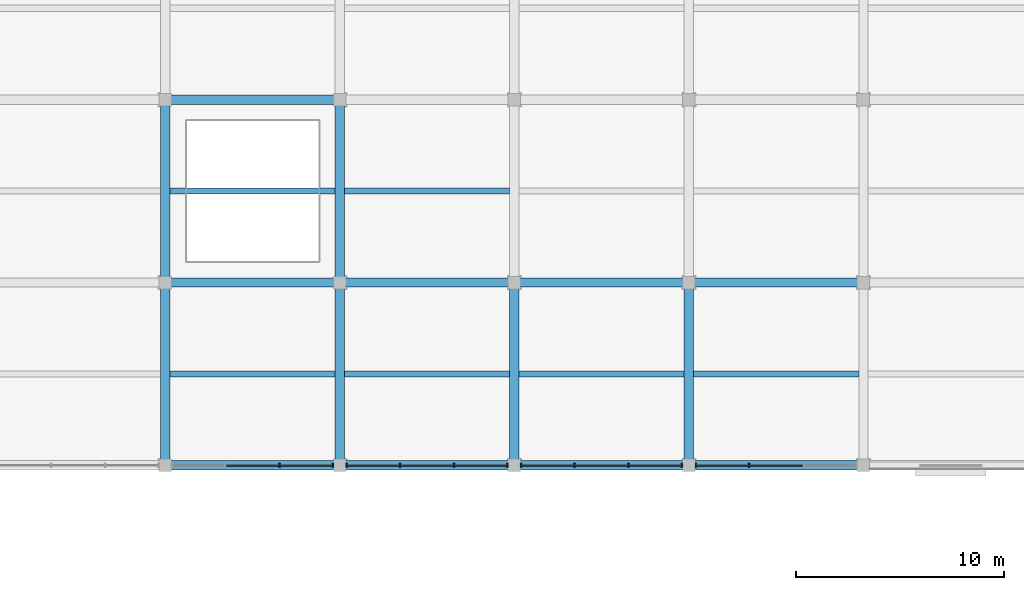
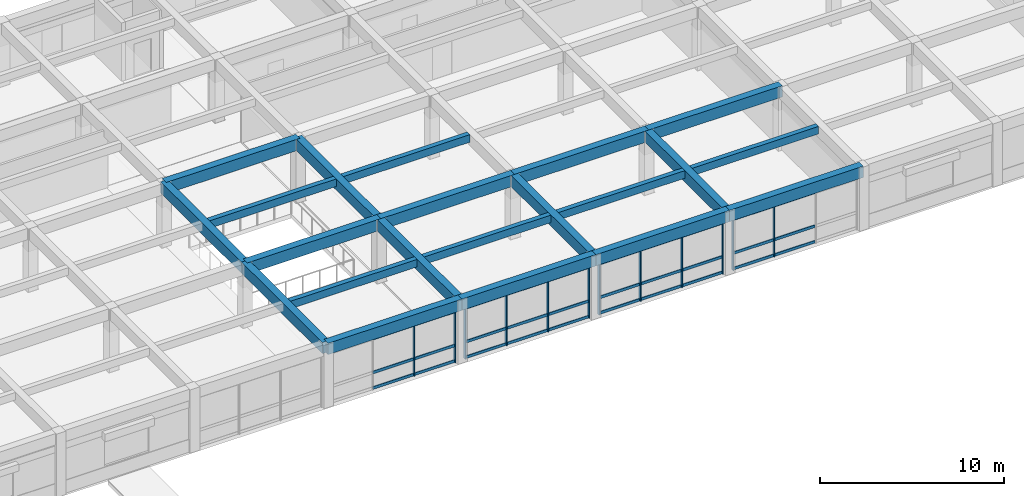
# One storey, part 13 of 46: 42 members, 21 beams, 4 elements without a shape of their own.
"""IFC4 building model written with IfcOpenShell, lengths in metres."""

from ifc_helpers import new_model, si_unit, direction, frame, origin, origin_2d, place, context, subcontext, project, spatial, rectangle, extrude, material, material_profile, profile_set, type_object, element, aggregate, save


model = new_model("IFC4")

# Units and contexts
model_context = context("Model", 3, precision=1e-05, world=origin(), true_north=direction((0.0, 1.0)))
body_context = subcontext(model_context, "Body", "Model", "MODEL_VIEW")
ifc_project = project(units=[si_unit("LENGTHUNIT", "METRE"), si_unit("AREAUNIT", "SQUARE_METRE"), si_unit("VOLUMEUNIT", "CUBIC_METRE"), si_unit("PLANEANGLEUNIT", "RADIAN"), si_unit("MASSUNIT", "GRAM", prefix="KILO")], contexts=[model_context])

# Site, building, storey
site_placement = place(None, origin())
site = spatial("IfcSite", under=ifc_project, at=site_placement, CompositionType="ELEMENT")
building_placement = place(site_placement, origin())
building = spatial("IfcBuilding", under=site, at=building_placement, Name="Kemercrest Conservatory and Botanical Centre", CompositionType="ELEMENT")
storey_placement = place(building_placement, frame((0.0, 0.0, 9.0)))
storey = spatial("IfcBuildingStorey", under=building, at=storey_placement, Name="L02", CompositionType="ELEMENT", Elevation=9.0)

# Beams
ifc_material_1 = material(Name="Concrete C40/50", Category="concrete")
ifc_material_profile_1 = material_profile(ifc_material_1, rectangle(XDim=0.449951171875, YDim=0.75, at=origin_2d()), Name="RC 450x750")
ifc_profile_set_1 = profile_set([ifc_material_profile_1], Name="Concrete C40/50")
beam_type_1 = type_object("IfcBeamType", Name="BM-RC75", PredefinedType="BEAM", material=ifc_profile_set_1)
for number, where, z_axis, x_axis, name in (
    (1, (41.60009765625, 96.0, 3.824951171875), (1.0, 0.0, 0.0), (0.0, 1.0, 0.0), "V3-L03 beam BM-RC75 L/05-06"),
    (2, (50.0, 96.0, 3.824951171875), (1.0, 0.0, 0.0), (0.0, 1.0, 0.0), "V3-L03 beam BM-RC75 L/06-07"),
):
    element("IfcBeam", number, at=place(storey_placement, frame(where, z_axis=z_axis, x_axis=x_axis)), inside=storey, type_object=beam_type_1, Name=name, PredefinedType="BEAM", context=body_context, shape_type="SweptSolid", body=[
        extrude(rectangle(XDim=0.449951171875, YDim=0.75, at=origin_2d()), origin(), (0.0, 0.0, 1.0), 8.39990234375),
    ])
beam_1_placement = place(storey_placement, frame((58.39990234375, 96.0, 3.824951171875), z_axis=(1.0, 0.0, 0.0), x_axis=(0.0, 1.0, 0.0)))
element("IfcBeam", 3, at=beam_1_placement, inside=storey, type_object=beam_type_1, Name="V3-L03 beam BM-RC75 L/07-08", PredefinedType="BEAM", context=body_context, shape_type="SweptSolid", body=[
    extrude(rectangle(XDim=0.449951171875, YDim=0.75, at=origin_2d()), origin(), (0.0, 0.0, 1.0), 8.400146484375),
])
for number, where, z_axis, x_axis, name in (
    (4, (66.800048828125, 96.0, 3.824951171875), (1.0, 0.0, 0.0), (0.0, 1.0, 0.0), "V3-L03 beam BM-RC75 L/08-09"),
    (5, (41.60009765625, 104.800048828125, 3.824951171875), (1.0, 0.0, 0.0), (0.0, 1.0, 0.0), "V3-L03 beam BM-RC75 M/05-06"),
):
    element("IfcBeam", number, at=place(storey_placement, frame(where, z_axis=z_axis, x_axis=x_axis)), inside=storey, type_object=beam_type_1, Name=name, PredefinedType="BEAM", context=body_context, shape_type="SweptSolid", body=[
        extrude(rectangle(XDim=0.449951171875, YDim=0.75, at=origin_2d()), origin(), (0.0, 0.0, 1.0), 8.39990234375),
    ])
for number, where, z_axis, x_axis, name in (
    (6, (41.60009765625, 87.199951171875, 3.824951171875), (0.0, 1.0, 0.0), (-1.0, 0.0, 0.0), "V3-L03 beam BM-RC75 05/K-L"),
    (7, (41.60009765625, 96.0, 3.824951171875), (0.0, 1.0, 0.0), (-1.0, 0.0, 0.0), "V3-L03 beam BM-RC75 05/L-M"),
    (8, (50.0, 87.199951171875, 3.824951171875), (0.0, 1.0, 0.0), (-1.0, 0.0, 0.0), "V3-L03 beam BM-RC75 06/K-L"),
    (9, (50.0, 96.0, 3.824951171875), (0.0, 1.0, 0.0), (-1.0, 0.0, 0.0), "V3-L03 beam BM-RC75 06/L-M"),
    (10, (58.39990234375, 87.199951171875, 3.824951171875), (0.0, 1.0, 0.0), (-1.0, 0.0, 0.0), "V3-L03 beam BM-RC75 07/K-L"),
    (11, (66.800048828125, 87.199951171875, 3.824951171875), (0.0, 1.0, 0.0), (-1.0, 0.0, 0.0), "V3-L03 beam BM-RC75 08/K-L"),
):
    element("IfcBeam", number, at=place(storey_placement, frame(where, z_axis=z_axis, x_axis=x_axis)), inside=storey, type_object=beam_type_1, Name=name, PredefinedType="BEAM", context=body_context, shape_type="SweptSolid", body=[
        extrude(rectangle(XDim=0.449951171875, YDim=0.75, at=origin_2d()), origin(), (0.0, 0.0, 1.0), 8.800048828125),
    ])

# Curtain wall, members
ifc_material_2 = material(Name="Thermally broken aluminium and triple low-e glazing", Category="aluminium")
curtain_wall_type_1 = type_object("IfcCurtainWallType", Name="CW-09", PredefinedType="USERDEFINED", material=ifc_material_2)
curtain_wall_1_placement = place(storey_placement, origin())
curtain_wall_1 = element("IfcCurtainWall", 12, at=curtain_wall_1_placement, inside=storey, type_object=curtain_wall_type_1, Name="Unitised curtain wall CW-09 (CW:L02:V3-038)", ObjectType="UNITISED CURTAIN WALL", PredefinedType="USERDEFINED")
ifc_material_3 = material(Name="Thermally broken anodized aluminium 6063-T6", Category="aluminium")
ifc_material_profile_2 = material_profile(ifc_material_3, rectangle(XDim=0.199951171875, YDim=0.06494140625, at=origin_2d()), Name="AL MULLION 65x200")
ifc_profile_set_2 = profile_set([ifc_material_profile_2], Name="Thermally broken anodized aluminium 6063-T6")
member_type_1 = type_object("IfcMemberType", Name="CW-M200", PredefinedType="MULLION", material=ifc_profile_set_2)
member_1_placement = place(storey_placement, frame((47.1015625, 87.199951171875, 0.0), z_axis=(0.0, 0.0, 1.0), x_axis=(0.0, 1.0, 0.0)))
member_1 = element("IfcMember", 13, at=member_1_placement, type_object=member_type_1, Name="CW-09 mullion 3", PredefinedType="MULLION", context=body_context, shape_type="SweptSolid", body=[
    extrude(rectangle(XDim=0.199951171875, YDim=0.06494140625, at=origin_2d()), origin(), (0.0, 0.0, 1.0), 3.455078125),
])
member_2_placement = place(storey_placement, frame((49.672607421875, 87.199951171875, 0.0), z_axis=(0.0, 0.0, 1.0), x_axis=(0.0, 1.0, 0.0)))
member_2 = element("IfcMember", 14, at=member_2_placement, type_object=member_type_1, Name="CW-09 mullion 4", PredefinedType="MULLION", context=body_context, shape_type="SweptSolid", body=[
    extrude(rectangle(XDim=0.199951171875, YDim=0.06494140625, at=origin_2d()), origin(), (0.0, 0.0, 1.0), 3.455078125),
])

curtain_wall_type_2 = type_object("IfcCurtainWallType", Name="CW-10", PredefinedType="USERDEFINED", material=ifc_material_2)
curtain_wall_2_placement = place(storey_placement, origin())
curtain_wall_2 = element("IfcCurtainWall", 15, at=curtain_wall_2_placement, inside=storey, type_object=curtain_wall_type_2, Name="Unitised curtain wall CW-10 (CW:L02:V3-039)", ObjectType="UNITISED CURTAIN WALL", PredefinedType="USERDEFINED")
member_3_placement = place(storey_placement, frame((50.327392578125, 87.199951171875, 0.0), z_axis=(0.0, 0.0, 1.0), x_axis=(0.0, 1.0, 0.0)))
member_3 = element("IfcMember", 16, at=member_3_placement, type_object=member_type_1, Name="CW-10 mullion 1", PredefinedType="MULLION", context=body_context, shape_type="SweptSolid", body=[
    extrude(rectangle(XDim=0.199951171875, YDim=0.06494140625, at=origin_2d()), origin(), (0.0, 0.0, 1.0), 3.455078125),
])
member_4_placement = place(storey_placement, frame((52.8984375, 87.199951171875, 0.0), z_axis=(0.0, 0.0, 1.0), x_axis=(0.0, 1.0, 0.0)))
member_4 = element("IfcMember", 17, at=member_4_placement, type_object=member_type_1, Name="CW-10 mullion 2", PredefinedType="MULLION", context=body_context, shape_type="SweptSolid", body=[
    extrude(rectangle(XDim=0.199951171875, YDim=0.06494140625, at=origin_2d()), origin(), (0.0, 0.0, 1.0), 3.455078125),
])
member_5_placement = place(storey_placement, frame((55.501708984375, 87.199951171875, 0.0), z_axis=(0.0, 0.0, 1.0), x_axis=(0.0, 1.0, 0.0)))
member_5 = element("IfcMember", 18, at=member_5_placement, type_object=member_type_1, Name="CW-10 mullion 3", PredefinedType="MULLION", context=body_context, shape_type="SweptSolid", body=[
    extrude(rectangle(XDim=0.199951171875, YDim=0.06494140625, at=origin_2d()), origin(), (0.0, 0.0, 1.0), 3.455078125),
])
member_6_placement = place(storey_placement, frame((58.072509765625, 87.199951171875, 0.0), z_axis=(0.0, 0.0, 1.0), x_axis=(0.0, 1.0, 0.0)))
member_6 = element("IfcMember", 19, at=member_6_placement, type_object=member_type_1, Name="CW-10 mullion 4", PredefinedType="MULLION", context=body_context, shape_type="SweptSolid", body=[
    extrude(rectangle(XDim=0.199951171875, YDim=0.06494140625, at=origin_2d()), origin(), (0.0, 0.0, 1.0), 3.455078125),
])

curtain_wall_type_3 = type_object("IfcCurtainWallType", Name="CW-11", PredefinedType="USERDEFINED", material=ifc_material_2)
curtain_wall_3_placement = place(storey_placement, origin())
curtain_wall_3 = element("IfcCurtainWall", 20, at=curtain_wall_3_placement, inside=storey, type_object=curtain_wall_type_3, Name="Unitised curtain wall CW-11 (CW:L02:V3-040)", ObjectType="UNITISED CURTAIN WALL", PredefinedType="USERDEFINED")
member_7_placement = place(storey_placement, frame((58.7275390625, 87.199951171875, 0.0), z_axis=(0.0, 0.0, 1.0), x_axis=(0.0, 1.0, 0.0)))
member_7 = element("IfcMember", 21, at=member_7_placement, type_object=member_type_1, Name="CW-11 mullion 1", PredefinedType="MULLION", context=body_context, shape_type="SweptSolid", body=[
    extrude(rectangle(XDim=0.199951171875, YDim=0.06494140625, at=origin_2d()), origin(), (0.0, 0.0, 1.0), 3.455078125),
])
member_8_placement = place(storey_placement, frame((61.29833984375, 87.199951171875, 0.0), z_axis=(0.0, 0.0, 1.0), x_axis=(0.0, 1.0, 0.0)))
member_8 = element("IfcMember", 22, at=member_8_placement, type_object=member_type_1, Name="CW-11 mullion 2", PredefinedType="MULLION", context=body_context, shape_type="SweptSolid", body=[
    extrude(rectangle(XDim=0.199951171875, YDim=0.06494140625, at=origin_2d()), origin(), (0.0, 0.0, 1.0), 3.455078125),
])
member_9_placement = place(storey_placement, frame((63.901611328125, 87.199951171875, 0.0), z_axis=(0.0, 0.0, 1.0), x_axis=(0.0, 1.0, 0.0)))
member_9 = element("IfcMember", 23, at=member_9_placement, type_object=member_type_1, Name="CW-11 mullion 3", PredefinedType="MULLION", context=body_context, shape_type="SweptSolid", body=[
    extrude(rectangle(XDim=0.199951171875, YDim=0.06494140625, at=origin_2d()), origin(), (0.0, 0.0, 1.0), 3.455078125),
])
member_10_placement = place(storey_placement, frame((66.472412109375, 87.199951171875, 0.0), z_axis=(0.0, 0.0, 1.0), x_axis=(0.0, 1.0, 0.0)))
member_10 = element("IfcMember", 24, at=member_10_placement, type_object=member_type_1, Name="CW-11 mullion 4", PredefinedType="MULLION", context=body_context, shape_type="SweptSolid", body=[
    extrude(rectangle(XDim=0.199951171875, YDim=0.06494140625, at=origin_2d()), origin(), (0.0, 0.0, 1.0), 3.455078125),
])

curtain_wall_type_4 = type_object("IfcCurtainWallType", Name="CW-12", PredefinedType="USERDEFINED", material=ifc_material_2)
curtain_wall_4_placement = place(storey_placement, origin())
curtain_wall_4 = element("IfcCurtainWall", 25, at=curtain_wall_4_placement, inside=storey, type_object=curtain_wall_type_4, Name="Unitised curtain wall CW-12 (CW:L02:V3-041)", ObjectType="UNITISED CURTAIN WALL", PredefinedType="USERDEFINED")
member_11_placement = place(storey_placement, frame((67.12744140625, 87.199951171875, 0.0), z_axis=(0.0, 0.0, 1.0), x_axis=(0.0, 1.0, 0.0)))
member_11 = element("IfcMember", 26, at=member_11_placement, type_object=member_type_1, Name="CW-12 mullion 1", PredefinedType="MULLION", context=body_context, shape_type="SweptSolid", body=[
    extrude(rectangle(XDim=0.199951171875, YDim=0.06494140625, at=origin_2d()), origin(), (0.0, 0.0, 1.0), 3.455078125),
])
member_12_placement = place(storey_placement, frame((69.6982421875, 87.199951171875, 0.0), z_axis=(0.0, 0.0, 1.0), x_axis=(0.0, 1.0, 0.0)))
member_12 = element("IfcMember", 27, at=member_12_placement, type_object=member_type_1, Name="CW-12 mullion 2", PredefinedType="MULLION", context=body_context, shape_type="SweptSolid", body=[
    extrude(rectangle(XDim=0.199951171875, YDim=0.06494140625, at=origin_2d()), origin(), (0.0, 0.0, 1.0), 3.455078125),
])

# Member
ifc_material_profile_3 = material_profile(ifc_material_3, rectangle(XDim=0.074951171875, YDim=0.179931640625, at=origin_2d()), Name="AL TRANSOM 75x180")
ifc_profile_set_3 = profile_set([ifc_material_profile_3], Name="Thermally broken anodized aluminium 6063-T6")
member_type_2 = type_object("IfcMemberType", Name="CW-T180", PredefinedType="USERDEFINED", material=ifc_profile_set_3)
member_13_placement = place(storey_placement, frame((44.53076171875, 87.199951171875, 0.090087890625), z_axis=(1.0, 0.0, 0.0), x_axis=(0.0, 1.0, 0.0)))
member_13 = element("IfcMember", 28, at=member_13_placement, type_object=member_type_2, Name="CW-09 transom 2.1", ObjectType="TRANSOM", PredefinedType="USERDEFINED", context=body_context, shape_type="SweptSolid", body=[
    extrude(rectangle(XDim=0.074951171875, YDim=0.179931640625, at=origin_2d()), origin(), (0.0, 0.0, 1.0), 2.538330078125),
])

member_14_placement = place(storey_placement, frame((44.53076171875, 87.199951171875, 1.1201171875), z_axis=(1.0, 0.0, 0.0), x_axis=(0.0, 1.0, 0.0)))
member_14 = element("IfcMember", 29, at=member_14_placement, type_object=member_type_2, Name="CW-09 transom 2.2", ObjectType="TRANSOM", PredefinedType="USERDEFINED", context=body_context, shape_type="SweptSolid", body=[
    extrude(rectangle(XDim=0.074951171875, YDim=0.179931640625, at=origin_2d()), origin(), (0.0, 0.0, 1.0), 2.538330078125),
])

member_15_placement = place(storey_placement, frame((44.53076171875, 87.199951171875, 3.364990234375), z_axis=(1.0, 0.0, 0.0), x_axis=(0.0, 1.0, 0.0)))
member_15 = element("IfcMember", 30, at=member_15_placement, type_object=member_type_2, Name="CW-09 transom 2.3", ObjectType="TRANSOM", PredefinedType="USERDEFINED", context=body_context, shape_type="SweptSolid", body=[
    extrude(rectangle(XDim=0.074951171875, YDim=0.179931640625, at=origin_2d()), origin(), (0.0, 0.0, 1.0), 2.538330078125),
])

member_16_placement = place(storey_placement, frame((47.13427734375, 87.199951171875, 0.090087890625), z_axis=(1.0, 0.0, 0.0), x_axis=(0.0, 1.0, 0.0)))
member_16 = element("IfcMember", 31, at=member_16_placement, type_object=member_type_2, Name="CW-09 transom 3.1", ObjectType="TRANSOM", PredefinedType="USERDEFINED", context=body_context, shape_type="SweptSolid", body=[
    extrude(rectangle(XDim=0.074951171875, YDim=0.179931640625, at=origin_2d()), origin(), (0.0, 0.0, 1.0), 2.505615234375),
])

member_17_placement = place(storey_placement, frame((47.13427734375, 87.199951171875, 1.1201171875), z_axis=(1.0, 0.0, 0.0), x_axis=(0.0, 1.0, 0.0)))
member_17 = element("IfcMember", 32, at=member_17_placement, type_object=member_type_2, Name="CW-09 transom 3.2", ObjectType="TRANSOM", PredefinedType="USERDEFINED", context=body_context, shape_type="SweptSolid", body=[
    extrude(rectangle(XDim=0.074951171875, YDim=0.179931640625, at=origin_2d()), origin(), (0.0, 0.0, 1.0), 2.505615234375),
])

member_18_placement = place(storey_placement, frame((47.13427734375, 87.199951171875, 3.364990234375), z_axis=(1.0, 0.0, 0.0), x_axis=(0.0, 1.0, 0.0)))
member_18 = element("IfcMember", 33, at=member_18_placement, type_object=member_type_2, Name="CW-09 transom 3.3", ObjectType="TRANSOM", PredefinedType="USERDEFINED", context=body_context, shape_type="SweptSolid", body=[
    extrude(rectangle(XDim=0.074951171875, YDim=0.179931640625, at=origin_2d()), origin(), (0.0, 0.0, 1.0), 2.505615234375),
])

aggregate(curtain_wall_1, [member_1, member_2, member_13, member_14, member_15, member_16, member_17, member_18])

member_19_placement = place(storey_placement, frame((50.360107421875, 87.199951171875, 0.090087890625), z_axis=(1.0, 0.0, 0.0), x_axis=(0.0, 1.0, 0.0)))
member_19 = element("IfcMember", 34, at=member_19_placement, type_object=member_type_2, Name="CW-10 transom 1.1", ObjectType="TRANSOM", PredefinedType="USERDEFINED", context=body_context, shape_type="SweptSolid", body=[
    extrude(rectangle(XDim=0.074951171875, YDim=0.179931640625, at=origin_2d()), origin(), (0.0, 0.0, 1.0), 2.505615234375),
])

member_20_placement = place(storey_placement, frame((50.360107421875, 87.199951171875, 1.1201171875), z_axis=(1.0, 0.0, 0.0), x_axis=(0.0, 1.0, 0.0)))
member_20 = element("IfcMember", 35, at=member_20_placement, type_object=member_type_2, Name="CW-10 transom 1.2", ObjectType="TRANSOM", PredefinedType="USERDEFINED", context=body_context, shape_type="SweptSolid", body=[
    extrude(rectangle(XDim=0.074951171875, YDim=0.179931640625, at=origin_2d()), origin(), (0.0, 0.0, 1.0), 2.505615234375),
])

member_21_placement = place(storey_placement, frame((50.360107421875, 87.199951171875, 3.364990234375), z_axis=(1.0, 0.0, 0.0), x_axis=(0.0, 1.0, 0.0)))
member_21 = element("IfcMember", 36, at=member_21_placement, type_object=member_type_2, Name="CW-10 transom 1.3", ObjectType="TRANSOM", PredefinedType="USERDEFINED", context=body_context, shape_type="SweptSolid", body=[
    extrude(rectangle(XDim=0.074951171875, YDim=0.179931640625, at=origin_2d()), origin(), (0.0, 0.0, 1.0), 2.505615234375),
])

member_22_placement = place(storey_placement, frame((52.930908203125, 87.199951171875, 0.090087890625), z_axis=(1.0, 0.0, 0.0), x_axis=(0.0, 1.0, 0.0)))
member_22 = element("IfcMember", 37, at=member_22_placement, type_object=member_type_2, Name="CW-10 transom 2.1", ObjectType="TRANSOM", PredefinedType="USERDEFINED", context=body_context, shape_type="SweptSolid", body=[
    extrude(rectangle(XDim=0.074951171875, YDim=0.179931640625, at=origin_2d()), origin(), (0.0, 0.0, 1.0), 2.538330078125),
])

member_23_placement = place(storey_placement, frame((52.930908203125, 87.199951171875, 1.1201171875), z_axis=(1.0, 0.0, 0.0), x_axis=(0.0, 1.0, 0.0)))
member_23 = element("IfcMember", 38, at=member_23_placement, type_object=member_type_2, Name="CW-10 transom 2.2", ObjectType="TRANSOM", PredefinedType="USERDEFINED", context=body_context, shape_type="SweptSolid", body=[
    extrude(rectangle(XDim=0.074951171875, YDim=0.179931640625, at=origin_2d()), origin(), (0.0, 0.0, 1.0), 2.538330078125),
])

member_24_placement = place(storey_placement, frame((52.930908203125, 87.199951171875, 3.364990234375), z_axis=(1.0, 0.0, 0.0), x_axis=(0.0, 1.0, 0.0)))
member_24 = element("IfcMember", 39, at=member_24_placement, type_object=member_type_2, Name="CW-10 transom 2.3", ObjectType="TRANSOM", PredefinedType="USERDEFINED", context=body_context, shape_type="SweptSolid", body=[
    extrude(rectangle(XDim=0.074951171875, YDim=0.179931640625, at=origin_2d()), origin(), (0.0, 0.0, 1.0), 2.538330078125),
])

member_25_placement = place(storey_placement, frame((55.5341796875, 87.199951171875, 0.090087890625), z_axis=(1.0, 0.0, 0.0), x_axis=(0.0, 1.0, 0.0)))
member_25 = element("IfcMember", 40, at=member_25_placement, type_object=member_type_2, Name="CW-10 transom 3.1", ObjectType="TRANSOM", PredefinedType="USERDEFINED", context=body_context, shape_type="SweptSolid", body=[
    extrude(rectangle(XDim=0.074951171875, YDim=0.179931640625, at=origin_2d()), origin(), (0.0, 0.0, 1.0), 2.505859375),
])

member_26_placement = place(storey_placement, frame((55.5341796875, 87.199951171875, 1.1201171875), z_axis=(1.0, 0.0, 0.0), x_axis=(0.0, 1.0, 0.0)))
member_26 = element("IfcMember", 41, at=member_26_placement, type_object=member_type_2, Name="CW-10 transom 3.2", ObjectType="TRANSOM", PredefinedType="USERDEFINED", context=body_context, shape_type="SweptSolid", body=[
    extrude(rectangle(XDim=0.074951171875, YDim=0.179931640625, at=origin_2d()), origin(), (0.0, 0.0, 1.0), 2.505859375),
])

member_27_placement = place(storey_placement, frame((55.5341796875, 87.199951171875, 3.364990234375), z_axis=(1.0, 0.0, 0.0), x_axis=(0.0, 1.0, 0.0)))
member_27 = element("IfcMember", 42, at=member_27_placement, type_object=member_type_2, Name="CW-10 transom 3.3", ObjectType="TRANSOM", PredefinedType="USERDEFINED", context=body_context, shape_type="SweptSolid", body=[
    extrude(rectangle(XDim=0.074951171875, YDim=0.179931640625, at=origin_2d()), origin(), (0.0, 0.0, 1.0), 2.505859375),
])

aggregate(curtain_wall_2, [member_3, member_4, member_5, member_6, member_19, member_20, member_21, member_22, member_23, member_24, member_25, member_26, member_27])

member_28_placement = place(storey_placement, frame((58.760009765625, 87.199951171875, 0.090087890625), z_axis=(1.0, 0.0, 0.0), x_axis=(0.0, 1.0, 0.0)))
member_28 = element("IfcMember", 43, at=member_28_placement, type_object=member_type_2, Name="CW-11 transom 1.1", ObjectType="TRANSOM", PredefinedType="USERDEFINED", context=body_context, shape_type="SweptSolid", body=[
    extrude(rectangle(XDim=0.074951171875, YDim=0.179931640625, at=origin_2d()), origin(), (0.0, 0.0, 1.0), 2.505859375),
])

member_29_placement = place(storey_placement, frame((58.760009765625, 87.199951171875, 1.1201171875), z_axis=(1.0, 0.0, 0.0), x_axis=(0.0, 1.0, 0.0)))
member_29 = element("IfcMember", 44, at=member_29_placement, type_object=member_type_2, Name="CW-11 transom 1.2", ObjectType="TRANSOM", PredefinedType="USERDEFINED", context=body_context, shape_type="SweptSolid", body=[
    extrude(rectangle(XDim=0.074951171875, YDim=0.179931640625, at=origin_2d()), origin(), (0.0, 0.0, 1.0), 2.505859375),
])

member_30_placement = place(storey_placement, frame((58.760009765625, 87.199951171875, 3.364990234375), z_axis=(1.0, 0.0, 0.0), x_axis=(0.0, 1.0, 0.0)))
member_30 = element("IfcMember", 45, at=member_30_placement, type_object=member_type_2, Name="CW-11 transom 1.3", ObjectType="TRANSOM", PredefinedType="USERDEFINED", context=body_context, shape_type="SweptSolid", body=[
    extrude(rectangle(XDim=0.074951171875, YDim=0.179931640625, at=origin_2d()), origin(), (0.0, 0.0, 1.0), 2.505859375),
])

member_31_placement = place(storey_placement, frame((61.330810546875, 87.199951171875, 0.090087890625), z_axis=(1.0, 0.0, 0.0), x_axis=(0.0, 1.0, 0.0)))
member_31 = element("IfcMember", 46, at=member_31_placement, type_object=member_type_2, Name="CW-11 transom 2.1", ObjectType="TRANSOM", PredefinedType="USERDEFINED", context=body_context, shape_type="SweptSolid", body=[
    extrude(rectangle(XDim=0.074951171875, YDim=0.179931640625, at=origin_2d()), origin(), (0.0, 0.0, 1.0), 2.538330078125),
])

member_32_placement = place(storey_placement, frame((61.330810546875, 87.199951171875, 1.1201171875), z_axis=(1.0, 0.0, 0.0), x_axis=(0.0, 1.0, 0.0)))
member_32 = element("IfcMember", 47, at=member_32_placement, type_object=member_type_2, Name="CW-11 transom 2.2", ObjectType="TRANSOM", PredefinedType="USERDEFINED", context=body_context, shape_type="SweptSolid", body=[
    extrude(rectangle(XDim=0.074951171875, YDim=0.179931640625, at=origin_2d()), origin(), (0.0, 0.0, 1.0), 2.538330078125),
])

member_33_placement = place(storey_placement, frame((61.330810546875, 87.199951171875, 3.364990234375), z_axis=(1.0, 0.0, 0.0), x_axis=(0.0, 1.0, 0.0)))
member_33 = element("IfcMember", 48, at=member_33_placement, type_object=member_type_2, Name="CW-11 transom 2.3", ObjectType="TRANSOM", PredefinedType="USERDEFINED", context=body_context, shape_type="SweptSolid", body=[
    extrude(rectangle(XDim=0.074951171875, YDim=0.179931640625, at=origin_2d()), origin(), (0.0, 0.0, 1.0), 2.538330078125),
])

member_34_placement = place(storey_placement, frame((63.93408203125, 87.199951171875, 0.090087890625), z_axis=(1.0, 0.0, 0.0), x_axis=(0.0, 1.0, 0.0)))
member_34 = element("IfcMember", 49, at=member_34_placement, type_object=member_type_2, Name="CW-11 transom 3.1", ObjectType="TRANSOM", PredefinedType="USERDEFINED", context=body_context, shape_type="SweptSolid", body=[
    extrude(rectangle(XDim=0.074951171875, YDim=0.179931640625, at=origin_2d()), origin(), (0.0, 0.0, 1.0), 2.505859375),
])

member_35_placement = place(storey_placement, frame((63.93408203125, 87.199951171875, 1.1201171875), z_axis=(1.0, 0.0, 0.0), x_axis=(0.0, 1.0, 0.0)))
member_35 = element("IfcMember", 50, at=member_35_placement, type_object=member_type_2, Name="CW-11 transom 3.2", ObjectType="TRANSOM", PredefinedType="USERDEFINED", context=body_context, shape_type="SweptSolid", body=[
    extrude(rectangle(XDim=0.074951171875, YDim=0.179931640625, at=origin_2d()), origin(), (0.0, 0.0, 1.0), 2.505859375),
])

member_36_placement = place(storey_placement, frame((63.93408203125, 87.199951171875, 3.364990234375), z_axis=(1.0, 0.0, 0.0), x_axis=(0.0, 1.0, 0.0)))
member_36 = element("IfcMember", 51, at=member_36_placement, type_object=member_type_2, Name="CW-11 transom 3.3", ObjectType="TRANSOM", PredefinedType="USERDEFINED", context=body_context, shape_type="SweptSolid", body=[
    extrude(rectangle(XDim=0.074951171875, YDim=0.179931640625, at=origin_2d()), origin(), (0.0, 0.0, 1.0), 2.505859375),
])

aggregate(curtain_wall_3, [member_7, member_8, member_9, member_10, member_28, member_29, member_30, member_31, member_32, member_33, member_34, member_35, member_36])

member_37_placement = place(storey_placement, frame((67.159912109375, 87.199951171875, 0.090087890625), z_axis=(1.0, 0.0, 0.0), x_axis=(0.0, 1.0, 0.0)))
member_37 = element("IfcMember", 52, at=member_37_placement, type_object=member_type_2, Name="CW-12 transom 1.1", ObjectType="TRANSOM", PredefinedType="USERDEFINED", context=body_context, shape_type="SweptSolid", body=[
    extrude(rectangle(XDim=0.074951171875, YDim=0.179931640625, at=origin_2d()), origin(), (0.0, 0.0, 1.0), 2.505859375),
])

member_38_placement = place(storey_placement, frame((67.159912109375, 87.199951171875, 1.1201171875), z_axis=(1.0, 0.0, 0.0), x_axis=(0.0, 1.0, 0.0)))
member_38 = element("IfcMember", 53, at=member_38_placement, type_object=member_type_2, Name="CW-12 transom 1.2", ObjectType="TRANSOM", PredefinedType="USERDEFINED", context=body_context, shape_type="SweptSolid", body=[
    extrude(rectangle(XDim=0.074951171875, YDim=0.179931640625, at=origin_2d()), origin(), (0.0, 0.0, 1.0), 2.505859375),
])

member_39_placement = place(storey_placement, frame((67.159912109375, 87.199951171875, 3.364990234375), z_axis=(1.0, 0.0, 0.0), x_axis=(0.0, 1.0, 0.0)))
member_39 = element("IfcMember", 54, at=member_39_placement, type_object=member_type_2, Name="CW-12 transom 1.3", ObjectType="TRANSOM", PredefinedType="USERDEFINED", context=body_context, shape_type="SweptSolid", body=[
    extrude(rectangle(XDim=0.074951171875, YDim=0.179931640625, at=origin_2d()), origin(), (0.0, 0.0, 1.0), 2.505859375),
])

member_40_placement = place(storey_placement, frame((69.730712890625, 87.199951171875, 0.090087890625), z_axis=(1.0, 0.0, 0.0), x_axis=(0.0, 1.0, 0.0)))
member_40 = element("IfcMember", 55, at=member_40_placement, type_object=member_type_2, Name="CW-12 transom 2.1", ObjectType="TRANSOM", PredefinedType="USERDEFINED", context=body_context, shape_type="SweptSolid", body=[
    extrude(rectangle(XDim=0.074951171875, YDim=0.179931640625, at=origin_2d()), origin(), (0.0, 0.0, 1.0), 2.53857421875),
])

member_41_placement = place(storey_placement, frame((69.730712890625, 87.199951171875, 1.1201171875), z_axis=(1.0, 0.0, 0.0), x_axis=(0.0, 1.0, 0.0)))
member_41 = element("IfcMember", 56, at=member_41_placement, type_object=member_type_2, Name="CW-12 transom 2.2", ObjectType="TRANSOM", PredefinedType="USERDEFINED", context=body_context, shape_type="SweptSolid", body=[
    extrude(rectangle(XDim=0.074951171875, YDim=0.179931640625, at=origin_2d()), origin(), (0.0, 0.0, 1.0), 2.53857421875),
])

member_42_placement = place(storey_placement, frame((69.730712890625, 87.199951171875, 3.364990234375), z_axis=(1.0, 0.0, 0.0), x_axis=(0.0, 1.0, 0.0)))
member_42 = element("IfcMember", 57, at=member_42_placement, type_object=member_type_2, Name="CW-12 transom 2.3", ObjectType="TRANSOM", PredefinedType="USERDEFINED", context=body_context, shape_type="SweptSolid", body=[
    extrude(rectangle(XDim=0.074951171875, YDim=0.179931640625, at=origin_2d()), origin(), (0.0, 0.0, 1.0), 2.53857421875),
])

aggregate(curtain_wall_4, [member_11, member_12, member_37, member_38, member_39, member_40, member_41, member_42])

# Beams
ifc_material_profile_4 = material_profile(ifc_material_1, rectangle(XDim=0.300048828125, YDim=0.5, at=origin_2d()), Name="RC 300x500")
ifc_profile_set_4 = profile_set([ifc_material_profile_4], Name="Concrete C40/50")
beam_type_2 = type_object("IfcBeamType", Name="JS-RC50", PredefinedType="JOIST", material=ifc_profile_set_4)
for number, where, z_axis, x_axis, name in (
    (58, (41.824951171875, 91.60009765625, 3.949951171875), (1.0, 0.0, 0.0), (0.0, 1.0, 0.0), "V3-L03 secondary joist JS-RC50"),
    (59, (50.22509765625, 91.60009765625, 3.949951171875), (1.0, 0.0, 0.0), (0.0, 1.0, 0.0), "V3-L03 secondary joist JS-RC50"),
    (60, (58.625, 91.60009765625, 3.949951171875), (1.0, 0.0, 0.0), (0.0, 1.0, 0.0), "V3-L03 secondary joist JS-RC50"),
):
    element("IfcBeam", number, at=place(storey_placement, frame(where, z_axis=z_axis, x_axis=x_axis)), inside=storey, type_object=beam_type_2, Name=name, PredefinedType="JOIST", context=body_context, shape_type="SweptSolid", body=[
        extrude(rectangle(XDim=0.300048828125, YDim=0.5, at=origin_2d()), origin(), (0.0, 0.0, 1.0), 7.949951171875),
    ])
beam_2_placement = place(storey_placement, frame((67.02490234375, 91.60009765625, 3.949951171875), z_axis=(1.0, 0.0, 0.0), x_axis=(0.0, 1.0, 0.0)))
element("IfcBeam", 61, at=beam_2_placement, inside=storey, type_object=beam_type_2, Name="V3-L03 secondary joist JS-RC50", PredefinedType="JOIST", context=body_context, shape_type="SweptSolid", body=[
    extrude(rectangle(XDim=0.300048828125, YDim=0.5, at=origin_2d()), origin(), (0.0, 0.0, 1.0), 7.9501953125),
])
for number, where, z_axis, x_axis, name in (
    (62, (41.824951171875, 100.39990234375, 3.949951171875), (1.0, 0.0, 0.0), (0.0, 1.0, 0.0), "V3-L03 secondary joist JS-RC50"),
    (63, (50.22509765625, 100.39990234375, 3.949951171875), (1.0, 0.0, 0.0), (0.0, 1.0, 0.0), "V3-L03 secondary joist JS-RC50"),
):
    element("IfcBeam", number, at=place(storey_placement, frame(where, z_axis=z_axis, x_axis=x_axis)), inside=storey, type_object=beam_type_2, Name=name, PredefinedType="JOIST", context=body_context, shape_type="SweptSolid", body=[
        extrude(rectangle(XDim=0.300048828125, YDim=0.5, at=origin_2d()), origin(), (0.0, 0.0, 1.0), 7.949951171875),
    ])
ifc_material_profile_5 = material_profile(ifc_material_1, rectangle(XDim=0.449951171875, YDim=0.75, at=origin_2d()), Name="RC 450x750")
ifc_profile_set_5 = profile_set([ifc_material_profile_5], Name="Concrete C40/50")
beam_type_3 = type_object("IfcBeamType", Name="SP-RC75", PredefinedType="SPANDREL", material=ifc_profile_set_5)
for number, where, z_axis, x_axis, name in (
    (64, (41.60009765625, 87.199951171875, 3.824951171875), (1.0, 0.0, 0.0), (0.0, 1.0, 0.0), "V3-L03 beam SP-RC75 K/05-06"),
    (65, (50.0, 87.199951171875, 3.824951171875), (1.0, 0.0, 0.0), (0.0, 1.0, 0.0), "V3-L03 beam SP-RC75 K/06-07"),
):
    element("IfcBeam", number, at=place(storey_placement, frame(where, z_axis=z_axis, x_axis=x_axis)), inside=storey, type_object=beam_type_3, Name=name, PredefinedType="SPANDREL", context=body_context, shape_type="SweptSolid", body=[
        extrude(rectangle(XDim=0.449951171875, YDim=0.75, at=origin_2d()), origin(), (0.0, 0.0, 1.0), 8.39990234375),
    ])
beam_3_placement = place(storey_placement, frame((58.39990234375, 87.199951171875, 3.824951171875), z_axis=(1.0, 0.0, 0.0), x_axis=(0.0, 1.0, 0.0)))
element("IfcBeam", 66, at=beam_3_placement, inside=storey, type_object=beam_type_3, Name="V3-L03 beam SP-RC75 K/07-08", PredefinedType="SPANDREL", context=body_context, shape_type="SweptSolid", body=[
    extrude(rectangle(XDim=0.449951171875, YDim=0.75, at=origin_2d()), origin(), (0.0, 0.0, 1.0), 8.400146484375),
])
beam_4_placement = place(storey_placement, frame((66.800048828125, 87.199951171875, 3.824951171875), z_axis=(1.0, 0.0, 0.0), x_axis=(0.0, 1.0, 0.0)))
element("IfcBeam", 67, at=beam_4_placement, inside=storey, type_object=beam_type_3, Name="V3-L03 beam SP-RC75 K/08-09", PredefinedType="SPANDREL", context=body_context, shape_type="SweptSolid", body=[
    extrude(rectangle(XDim=0.449951171875, YDim=0.75, at=origin_2d()), origin(), (0.0, 0.0, 1.0), 8.39990234375),
])

save(model, "model.ifc")
